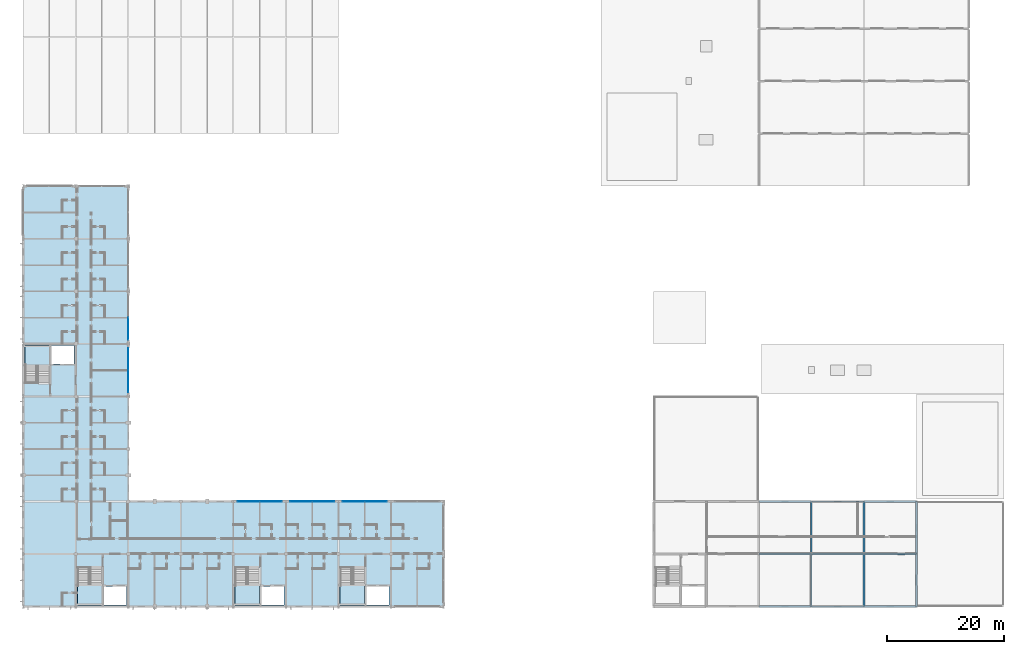
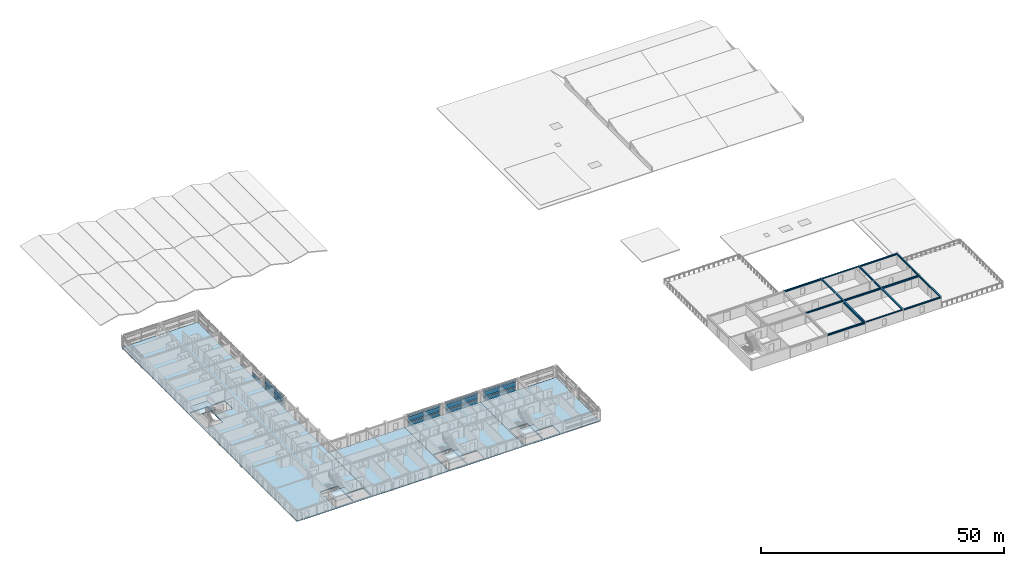
# One storey, part 14 of 37: 34 plates, 15 beams, 8 slabs, 5 elements without a shape of their own.
"""IFC4 building model written with IfcOpenShell, lengths in metres."""

import ifcopenshell
import ifcopenshell.guid

model = None  # the IFC model being written
_history = None  # IfcOwnerHistory: only IFC2X3 demands one
_inside = {}  # id of a spatial element -> (the spatial element, [elements in it])
_under = {}  # id of a project, library or spatial element -> (it, [spatial elements below it])
_declared = {}  # id of a project -> (the project, [libraries it declares])
_typed = {}  # id of a type object -> (the type object, [elements of that type])
_made_of = {}  # id of a material, layer set ... -> (it, [elements and type objects made of it])


def new_model(schema):
    """Start an empty IFC model of exactly this schema.

    Asked for "IFC4X3", IfcOpenShell would pick the latest addendum, in which some entities
    have other attributes; the version numbers below select the first issue.
    IFC2X3 requires an IfcOwnerHistory on every rooted entity: one is made here for all.
    """
    global model, _history
    if schema == "IFC4X3":
        model = ifcopenshell.file(schema_version=(4, 3, 0, 0))
    else:
        model = ifcopenshell.file(schema=schema)
    _inside.clear()
    _under.clear()
    _declared.clear()
    _typed.clear()
    _made_of.clear()
    _history = None
    if model.schema == "IFC2X3":
        org = make("IfcOrganization", Name="unknown")
        user = make(
            "IfcPersonAndOrganization",
            ThePerson=make("IfcPerson", FamilyName="unknown"),
            TheOrganization=org,
        )
        app = make(
            "IfcApplication",
            ApplicationDeveloper=org,
            Version="unknown",
            ApplicationFullName="unknown",
            ApplicationIdentifier="unknown",
        )
        _history = make(
            "IfcOwnerHistory",
            OwningUser=user,
            OwningApplication=app,
            ChangeAction="ADDED",
            CreationDate=0,
        )
    return model


def make(cls, **values):
    """One entity of the class cls with the attributes given. An attribute that is None is left unset."""
    return model.create_entity(
        cls, **{name: value for name, value in values.items() if value is not None}
    )


def rooted(cls, **values):
    """An entity with a GlobalId (a new one), such as an element, a storey or a relation."""
    return make(cls, GlobalId=ifcopenshell.guid.new(), OwnerHistory=_history, **values)


def si_unit(unit_type, name, prefix=None):
    """IfcSIUnit, for example si_unit("LENGTHUNIT", "METRE", prefix="MILLI")."""
    return make("IfcSIUnit", UnitType=unit_type, Prefix=prefix, Name=name)


def assignment(units):
    """IfcUnitAssignment: the units of a project."""
    return None if units is None else make("IfcUnitAssignment", Units=units)


def point(xyz):
    """IfcCartesianPoint."""
    return None if xyz is None else make("IfcCartesianPoint", Coordinates=xyz)


def direction(xyz):
    """IfcDirection."""
    return None if xyz is None else make("IfcDirection", DirectionRatios=xyz)


def frame(location, z_axis=None, x_axis=None):
    """IfcAxis2Placement3D, a coordinate frame: its origin and axes. An axis left out is left unset."""
    return make(
        "IfcAxis2Placement3D",
        Location=point(location),
        Axis=direction(z_axis),
        RefDirection=direction(x_axis),
    )


def frame_2d(location, x_axis=None):
    """IfcAxis2Placement2D, a coordinate frame in the plane: its origin and x axis."""
    return make(
        "IfcAxis2Placement2D", Location=point(location), RefDirection=direction(x_axis)
    )


def origin():
    """The frame at (0, 0, 0) with its axes left unset."""
    return frame((0.0, 0.0, 0.0))


def origin_2d():
    """The frame at (0, 0) in the plane with its x axis left unset."""
    return frame_2d((0.0, 0.0))


def place(relative_to, where):
    """IfcLocalPlacement: puts the frame where relative to a parent placement (None: the world)."""
    return make(
        "IfcLocalPlacement", PlacementRelTo=relative_to, RelativePlacement=where
    )


def context(
    kind, dimensions, precision=None, world=None, true_north=None, identifier=None
):
    """IfcGeometricRepresentationContext, for example the 3D "Model" context."""
    return make(
        "IfcGeometricRepresentationContext",
        ContextIdentifier=identifier,
        ContextType=kind,
        CoordinateSpaceDimension=dimensions,
        Precision=precision,
        WorldCoordinateSystem=world,
        TrueNorth=true_north,
    )


def subcontext(parent, identifier, kind, view, scale=None):
    """IfcGeometricRepresentationSubContext, for example "Body" below "Model"."""
    return make(
        "IfcGeometricRepresentationSubContext",
        ContextIdentifier=identifier,
        ContextType=kind,
        ParentContext=parent,
        TargetScale=scale,
        TargetView=view,
    )


def project(units=None, contexts=None):
    """IfcProject with its units and contexts."""
    return rooted(
        "IfcProject",
        Name="project",
        RepresentationContexts=contexts,
        UnitsInContext=assignment(units),
    )


def spatial(cls, under=None, at=None, **own):
    """A site, building, storey or space (cls), placed at a placement, below another one or the project."""
    s = rooted(cls, ObjectPlacement=at, **own)
    if under is not None:
        _under.setdefault(under.id(), (under, []))[1].append(s)
    return s


def polyline(points):
    """IfcPolyline through the points."""
    return make("IfcPolyline", Points=[point(p) for p in points])


def profile(cls, at=None, kind="AREA", **sizes):
    """A parametric profile (cls). Its sizes go by their IFC names, for example OverallWidth=200.0."""
    return make(cls, ProfileType=kind, Position=at, **sizes)


def rectangle(**sizes):
    """IfcRectangleProfileDef."""
    return profile("IfcRectangleProfileDef", **sizes)


def i_section(**sizes):
    """IfcIShapeProfileDef."""
    return profile("IfcIShapeProfileDef", **sizes)


def outline(outer, holes=None, kind="AREA"):
    """IfcArbitraryClosedProfileDef: a profile drawn as a closed curve; with holes, ...WithVoids."""
    if holes is None:
        return make("IfcArbitraryClosedProfileDef", ProfileType=kind, OuterCurve=outer)
    return make(
        "IfcArbitraryProfileDefWithVoids",
        ProfileType=kind,
        OuterCurve=outer,
        InnerCurves=holes,
    )


def extrude(swept, where, along, depth):
    """IfcExtrudedAreaSolid: the profile swept, set in the frame where, extruded along a direction by depth."""
    return make(
        "IfcExtrudedAreaSolid",
        SweptArea=swept,
        Position=where,
        ExtrudedDirection=direction(along),
        Depth=depth,
    )


def shape(context_of_items, identifier, shape_type, items):
    """IfcShapeRepresentation: the items that make up one representation, for example the "Body"."""
    return make(
        "IfcShapeRepresentation",
        ContextOfItems=context_of_items,
        RepresentationIdentifier=identifier,
        RepresentationType=shape_type,
        Items=items,
    )


def material(Name=None, Category=None):
    """IfcMaterial."""
    return make("IfcMaterial", Name=Name, Category=Category)


def layer(
    of_material, thickness, ventilated=None, Name=None, Category=None, Priority=None
):
    """IfcMaterialLayer: one layer of a wall or slab, of a material (None: an air gap)."""
    return make(
        "IfcMaterialLayer",
        Material=of_material,
        LayerThickness=thickness,
        IsVentilated=ventilated,
        Name=Name,
        Category=Category,
        Priority=Priority,
    )


def layer_set(layers, Name=None):
    """IfcMaterialLayerSet."""
    return make("IfcMaterialLayerSet", MaterialLayers=layers, LayerSetName=Name)


def material_profile(
    of_material, cross_section, Name=None, Category=None, Priority=None
):
    """IfcMaterialProfile: a cross section and its material."""
    return make(
        "IfcMaterialProfile",
        Name=Name,
        Material=of_material,
        Profile=cross_section,
        Priority=Priority,
        Category=Category,
    )


def profile_set(profiles, Name=None, composite=None):
    """IfcMaterialProfileSet."""
    return make(
        "IfcMaterialProfileSet",
        Name=Name,
        MaterialProfiles=profiles,
        CompositeProfile=composite,
    )


def made_of(thing, what):
    """Note that an element or type object is made of a material, layer set ...; save() writes the relation."""
    if what is not None:
        _made_of.setdefault(what.id(), (what, []))[1].append(thing)
    return thing


def type_object(cls, material=None, **own):
    """A type object (cls), such as IfcWallType, which elements share."""
    return made_of(rooted(cls, **own), material)


def element(
    cls,
    number,
    at=None,
    inside=None,
    cuts=None,
    type_object=None,
    material=None,
    context=None,
    identifier="Body",
    shape_type=None,
    held_by="IfcProductDefinitionShape",
    body=None,
    shapes=None,
    **own,
):
    """One element of the class cls, such as IfcWall. Its Tag is "e" and its number.

    at: its placement. inside: the storey or other place that contains it. cuts: it is an
    opening in that element (IfcRelVoidsElement). A single representation is given by context,
    identifier, shape_type and body (its items); several are given by shapes. held_by: the class
    of the entity that holds the representations. save() writes the other relations.
    """
    e = rooted(cls, Tag="e%d" % number, ObjectPlacement=at, **own)
    if body is not None:
        shapes = [shape(context, identifier, shape_type, body)]
    if shapes is not None:
        e.Representation = make(held_by, Representations=shapes)
    if inside is not None:
        _inside.setdefault(inside.id(), (inside, []))[1].append(e)
    if cuts is not None:
        rooted(
            "IfcRelVoidsElement", RelatingBuildingElement=cuts, RelatedOpeningElement=e
        )
    if type_object is not None:
        _typed.setdefault(type_object.id(), (type_object, []))[1].append(e)
    return made_of(e, material)


def aggregate(whole, parts):
    """IfcRelAggregates: a whole, such as a stair, and the parts it consists of."""
    return rooted("IfcRelAggregates", RelatingObject=whole, RelatedObjects=parts)


def save(model, path):
    """Write the relations noted so far, then the file.

    IfcRelAggregates (storeys below a building ...), IfcRelContainedInSpatialStructure (elements
    in a storey), IfcRelDefinesByType, IfcRelAssociatesMaterial and IfcRelDeclares: one each for
    every whole, place, type object, material and project.
    """
    for whole, parts in _under.values():
        aggregate(whole, parts)
    for where, things in _inside.values():
        rooted(
            "IfcRelContainedInSpatialStructure",
            RelatedElements=things,
            RelatingStructure=where,
        )
    for kind, things in _typed.values():
        rooted("IfcRelDefinesByType", RelatedObjects=things, RelatingType=kind)
    for what, things in _made_of.values():
        rooted("IfcRelAssociatesMaterial", RelatedObjects=things, RelatingMaterial=what)
    for by, libraries in _declared.values():
        rooted("IfcRelDeclares", RelatingContext=by, RelatedDefinitions=libraries)
    model.write(path)


model = new_model("IFC4")

# Units and contexts
model_context = context("Model", 3, precision=1e-05, world=origin(), true_north=direction((0.0, 1.0)))
body_context = subcontext(model_context, "Body", "Model", "MODEL_VIEW")
ifc_project = project(units=[si_unit("LENGTHUNIT", "METRE"), si_unit("AREAUNIT", "SQUARE_METRE"), si_unit("VOLUMEUNIT", "CUBIC_METRE"), si_unit("PLANEANGLEUNIT", "RADIAN"), si_unit("MASSUNIT", "GRAM", prefix="KILO")], contexts=[model_context])

# Site, building, storey
site_placement = place(None, origin())
site = spatial("IfcSite", under=ifc_project, at=site_placement, CompositionType="ELEMENT")
building_placement = place(site_placement, origin())
building = spatial("IfcBuilding", under=site, at=building_placement, Name="Palais des Congres Ocreval", CompositionType="ELEMENT")
storey_placement = place(building_placement, frame((0.0, 0.0, 11.52001953125)))
storey = spatial("IfcBuildingStorey", under=building, at=storey_placement, Name="L03", CompositionType="ELEMENT", Elevation=11.52001953125)

# Beams
ifc_material_1 = material(Name="Steel S355", Category="steel")
ifc_material_profile_1 = material_profile(ifc_material_1, i_section(OverallWidth=0.239990234375, OverallDepth=0.22998046875, WebThickness=0.007568359375, FlangeThickness=0.011962890625, at=origin_2d()), Name="HEA 240")
ifc_profile_set_1 = profile_set([ifc_material_profile_1], Name="Steel S355")
beam_type_1 = type_object("IfcBeamType", Name="Perimeter Spandrel HEA 240 Steel S355", PredefinedType="SPANDREL", material=ifc_profile_set_1)
for number, where, z_axis, x_axis, name in (
    (1, (135.02001953125, 0.0, 2.6650390625), (1.0, 0.0, 0.0), (0.0, 1.0, 0.0), "Beam SP01 L03"),
    (2, (135.02001953125, 18.0, 2.6650390625), (1.0, 0.0, 0.0), (0.0, 1.0, 0.0), "Beam SP01 L03"),
):
    element("IfcBeam", number, at=place(storey_placement, frame(where, z_axis=z_axis, x_axis=x_axis)), inside=storey, type_object=beam_type_1, Name=name, PredefinedType="SPANDREL", context=body_context, shape_type="SweptSolid", body=[
        extrude(i_section(OverallWidth=0.239990234375, OverallDepth=0.22998046875, WebThickness=0.007568359375, FlangeThickness=0.011962890625, at=origin_2d()), origin(), (0.0, 0.0, 1.0), 8.9599609375),
    ])
ifc_material_profile_2 = material_profile(ifc_material_1, i_section(OverallWidth=0.300048828125, OverallDepth=0.300048828125, WebThickness=0.010986328125, FlangeThickness=0.01904296875, at=origin_2d()), Name="HEB 300")
ifc_profile_set_2 = profile_set([ifc_material_profile_2], Name="Steel S355")
beam_type_2 = type_object("IfcBeamType", Name="Perimeter Spandrel HEB 300 Steel S355", PredefinedType="SPANDREL", material=ifc_profile_set_2)
for number, where, z_axis, x_axis, name in (
    (3, (144.02001953125, 0.0, 2.6298828125), (1.0, 0.0, 0.0), (0.0, 1.0, 0.0), "Beam SP02 L03"),
    (4, (144.02001953125, 18.0, 2.6298828125), (1.0, 0.0, 0.0), (0.0, 1.0, 0.0), "Beam SP02 L03"),
):
    element("IfcBeam", number, at=place(storey_placement, frame(where, z_axis=z_axis, x_axis=x_axis)), inside=storey, type_object=beam_type_2, Name=name, PredefinedType="SPANDREL", context=body_context, shape_type="SweptSolid", body=[
        extrude(i_section(OverallWidth=0.300048828125, OverallDepth=0.300048828125, WebThickness=0.010986328125, FlangeThickness=0.01904296875, at=origin_2d()), origin(), (0.0, 0.0, 1.0), 8.9599609375),
    ])
ifc_material_profile_3 = material_profile(ifc_material_1, i_section(OverallWidth=0.300048828125, OverallDepth=0.39990234375, WebThickness=0.013427734375, FlangeThickness=0.02392578125, at=origin_2d()), Name="HEB 400")
ifc_profile_set_3 = profile_set([ifc_material_profile_3], Name="Steel S355")
beam_type_3 = type_object("IfcBeamType", Name="Perimeter Spandrel HEB 400 Steel S355", PredefinedType="SPANDREL", material=ifc_profile_set_3)
for number, where, z_axis, x_axis, name in (
    (5, (126.02001953125, 0.0, 2.580078125), (1.0, 0.0, 0.0), (0.0, 1.0, 0.0), "Beam SP04 L03"),
    (6, (126.02001953125, 18.0, 2.580078125), (1.0, 0.0, 0.0), (0.0, 1.0, 0.0), "Beam SP04 L03"),
):
    element("IfcBeam", number, at=place(storey_placement, frame(where, z_axis=z_axis, x_axis=x_axis)), inside=storey, type_object=beam_type_3, Name=name, PredefinedType="SPANDREL", context=body_context, shape_type="SweptSolid", body=[
        extrude(i_section(OverallWidth=0.300048828125, OverallDepth=0.39990234375, WebThickness=0.013427734375, FlangeThickness=0.02392578125, at=origin_2d()), origin(), (0.0, 0.0, 1.0), 8.9599609375),
    ])
ifc_material_profile_4 = material_profile(ifc_material_1, i_section(OverallWidth=0.300048828125, OverallDepth=0.2900390625, WebThickness=0.008544921875, FlangeThickness=0.013916015625, at=origin_2d()), Name="HEA 300")
ifc_profile_set_4 = profile_set([ifc_material_profile_4], Name="Steel S355")
beam_type_4 = type_object("IfcBeamType", Name="Primary Beam HEA 300 Steel S355", PredefinedType="BEAM", material=ifc_profile_set_4)
for number, where, z_axis, x_axis, name in (
    (7, (135.0, 9.02001953125, 2.635009765625), (0.0, 1.0, 0.0), (-1.0, 0.0, 0.0), "Girder B08 L03"),
    (8, (144.0, 0.02001953125, 2.635009765625), (0.0, 1.0, 0.0), (-1.0, 0.0, 0.0), "Girder B08 L03"),
):
    element("IfcBeam", number, at=place(storey_placement, frame(where, z_axis=z_axis, x_axis=x_axis)), inside=storey, type_object=beam_type_4, Name=name, PredefinedType="BEAM", context=body_context, shape_type="SweptSolid", body=[
        extrude(i_section(OverallWidth=0.300048828125, OverallDepth=0.2900390625, WebThickness=0.008544921875, FlangeThickness=0.013916015625, at=origin_2d()), origin(), (0.0, 0.0, 1.0), 8.9599609375),
    ])
ifc_material_profile_5 = material_profile(ifc_material_1, i_section(OverallWidth=0.300048828125, OverallDepth=0.330078125, WebThickness=0.009521484375, FlangeThickness=0.0166015625, at=origin_2d()), Name="HEA 340")
ifc_profile_set_5 = profile_set([ifc_material_profile_5], Name="Steel S355")
beam_type_5 = type_object("IfcBeamType", Name="Primary Beam HEA 340 Steel S355", PredefinedType="BEAM", material=ifc_profile_set_5)
for number, where, z_axis, x_axis, name in (
    (9, (126.02001953125, 9.0, 2.614990234375), (1.0, 0.0, 0.0), (0.0, 1.0, 0.0), "Beam B09 L03"),
    (10, (144.0, 9.02001953125, 2.614990234375), (0.0, 1.0, 0.0), (-1.0, 0.0, 0.0), "Girder B09 L03"),
    (11, (153.0, 0.02001953125, 2.614990234375), (0.0, 1.0, 0.0), (-1.0, 0.0, 0.0), "Girder B09 L03"),
):
    element("IfcBeam", number, at=place(storey_placement, frame(where, z_axis=z_axis, x_axis=x_axis)), inside=storey, type_object=beam_type_5, Name=name, PredefinedType="BEAM", context=body_context, shape_type="SweptSolid", body=[
        extrude(i_section(OverallWidth=0.300048828125, OverallDepth=0.330078125, WebThickness=0.009521484375, FlangeThickness=0.0166015625, at=origin_2d()), origin(), (0.0, 0.0, 1.0), 8.9599609375),
    ])
ifc_material_profile_6 = material_profile(ifc_material_1, i_section(OverallWidth=0.300048828125, OverallDepth=0.389892578125, WebThickness=0.010986328125, FlangeThickness=0.01904296875, at=origin_2d()), Name="HEA 400")
ifc_profile_set_6 = profile_set([ifc_material_profile_6], Name="Steel S355")
beam_type_6 = type_object("IfcBeamType", Name="Primary Beam HEA 400 Steel S355", PredefinedType="BEAM", material=ifc_profile_set_6)
for number, where, z_axis, x_axis, name in (
    (12, (135.02001953125, 9.0, 2.5849609375), (1.0, 0.0, 0.0), (0.0, 1.0, 0.0), "Beam B10 L03"),
    (13, (153.0, 9.02001953125, 2.5849609375), (0.0, 1.0, 0.0), (-1.0, 0.0, 0.0), "Girder B10 L03"),
):
    element("IfcBeam", number, at=place(storey_placement, frame(where, z_axis=z_axis, x_axis=x_axis)), inside=storey, type_object=beam_type_6, Name=name, PredefinedType="BEAM", context=body_context, shape_type="SweptSolid", body=[
        extrude(i_section(OverallWidth=0.300048828125, OverallDepth=0.389892578125, WebThickness=0.010986328125, FlangeThickness=0.01904296875, at=origin_2d()), origin(), (0.0, 0.0, 1.0), 8.9599609375),
    ])
ifc_material_profile_7 = material_profile(ifc_material_1, i_section(OverallWidth=0.300048828125, OverallDepth=0.43994140625, WebThickness=0.011474609375, FlangeThickness=0.02099609375, at=origin_2d()), Name="HEA 450")
ifc_profile_set_7 = profile_set([ifc_material_profile_7], Name="Steel S355")
beam_type_7 = type_object("IfcBeamType", Name="Primary Beam HEA 450 Steel S355", PredefinedType="BEAM", material=ifc_profile_set_7)
beam_1_placement = place(storey_placement, frame((144.02001953125, 9.0, 2.56005859375), z_axis=(1.0, 0.0, 0.0), x_axis=(0.0, 1.0, 0.0)))
element("IfcBeam", 14, at=beam_1_placement, inside=storey, type_object=beam_type_7, Name="Beam B11 L03", PredefinedType="BEAM", context=body_context, shape_type="SweptSolid", body=[
    extrude(i_section(OverallWidth=0.300048828125, OverallDepth=0.43994140625, WebThickness=0.011474609375, FlangeThickness=0.02099609375, at=origin_2d()), origin(), (0.0, 0.0, 1.0), 8.9599609375),
])
ifc_material_profile_8 = material_profile(ifc_material_1, i_section(OverallWidth=0.300048828125, OverallDepth=0.68994140625, WebThickness=0.014404296875, FlangeThickness=0.027099609375, at=origin_2d()), Name="HEA 700")
ifc_profile_set_8 = profile_set([ifc_material_profile_8], Name="Steel S355")
beam_type_8 = type_object("IfcBeamType", Name="Primary Girder HEA 700 Steel S355", PredefinedType="BEAM", material=ifc_profile_set_8)
beam_2_placement = place(storey_placement, frame((135.0, 0.02001953125, 2.43505859375), z_axis=(0.0, 1.0, 0.0), x_axis=(-1.0, 0.0, 0.0)))
element("IfcBeam", 15, at=beam_2_placement, inside=storey, type_object=beam_type_8, Name="Girder B14 L03", PredefinedType="BEAM", context=body_context, shape_type="SweptSolid", body=[
    extrude(i_section(OverallWidth=0.300048828125, OverallDepth=0.68994140625, WebThickness=0.014404296875, FlangeThickness=0.027099609375, at=origin_2d()), origin(), (0.0, 0.0, 1.0), 8.9599609375),
])

# Curtain wall, plates
ifc_material_2 = material(Name="Anodized bronze aluminium and low-E glass", Category="glass")
curtain_wall_type = type_object("IfcCurtainWallType", Name="Unitised Curtain Wall 7900x2820", PredefinedType="USERDEFINED", material=ifc_material_2)
curtain_wall_1_placement = place(storey_placement, origin())
curtain_wall_1 = element("IfcCurtainWall", 16, at=curtain_wall_1_placement, inside=storey, type_object=curtain_wall_type, Name="Unitised Curtain Wall CW04 L03", ObjectType="UNITISED CURTAIN WALL", PredefinedType="USERDEFINED")
ifc_material_3 = material(Name="Acoustic triple glazing", Category="glass")
ifc_layer_1 = layer(ifc_material_3, 0.0439453125)
ifc_layer_set_1 = layer_set([ifc_layer_1], Name="Acoustic Laminated Glazing Panel 44 (Acoustic triple glazing)")
plate_type_1 = type_object("IfcPlateType", Name="Acoustic Laminated Glazing Panel 44", PredefinedType="CURTAIN_PANEL", material=ifc_layer_set_1)
plate_1_placement = place(storey_placement, frame((18.0, 42.407470703125, 0.06005859375), z_axis=(0.0, 0.0, 1.0), x_axis=(0.0, -1.0, 0.0)))
plate_1 = element("IfcPlate", 17, at=plate_1_placement, type_object=plate_type_1, Name="Vision Glazing Panel VP02", PredefinedType="CURTAIN_PANEL", context=body_context, shape_type="SweptSolid", body=[
    extrude(rectangle(XDim=3.7451171875, YDim=0.0439453125, at=origin_2d()), origin(), (0.0, 0.0, 1.0), 0.68994140625),
])
plate_2_placement = place(storey_placement, frame((18.0, 42.407470703125, 0.81005859375), z_axis=(0.0, 0.0, 1.0), x_axis=(0.0, -1.0, 0.0)))
plate_2 = element("IfcPlate", 18, at=plate_2_placement, type_object=plate_type_1, Name="Vision Glazing Panel VP02", PredefinedType="CURTAIN_PANEL", context=body_context, shape_type="SweptSolid", body=[
    extrude(rectangle(XDim=3.7451171875, YDim=0.0439453125, at=origin_2d()), origin(), (0.0, 0.0, 1.0), 0.353515625),
])
plate_3_placement = place(storey_placement, frame((18.0, 42.407470703125, 1.2236328125), z_axis=(0.0, 0.0, 1.0), x_axis=(0.0, -1.0, 0.0)))
plate_3 = element("IfcPlate", 19, at=plate_3_placement, type_object=plate_type_1, Name="Vision Glazing Panel VP02", PredefinedType="CURTAIN_PANEL", context=body_context, shape_type="SweptSolid", body=[
    extrude(rectangle(XDim=3.7451171875, YDim=0.0439453125, at=origin_2d()), origin(), (0.0, 0.0, 1.0), 0.91650390625),
])
plate_4_placement = place(storey_placement, frame((18.0, 38.592529296875, 0.06005859375), z_axis=(0.0, 0.0, 1.0), x_axis=(0.0, -1.0, 0.0)))
plate_4 = element("IfcPlate", 20, at=plate_4_placement, type_object=plate_type_1, Name="Vision Glazing Panel VP02", PredefinedType="CURTAIN_PANEL", context=body_context, shape_type="SweptSolid", body=[
    extrude(rectangle(XDim=3.7451171875, YDim=0.0439453125, at=origin_2d()), origin(), (0.0, 0.0, 1.0), 0.68994140625),
])
plate_5_placement = place(storey_placement, frame((18.0, 38.592529296875, 0.81005859375), z_axis=(0.0, 0.0, 1.0), x_axis=(0.0, -1.0, 0.0)))
plate_5 = element("IfcPlate", 21, at=plate_5_placement, type_object=plate_type_1, Name="Vision Glazing Panel VP02", PredefinedType="CURTAIN_PANEL", context=body_context, shape_type="SweptSolid", body=[
    extrude(rectangle(XDim=3.7451171875, YDim=0.0439453125, at=origin_2d()), origin(), (0.0, 0.0, 1.0), 0.353515625),
])
plate_6_placement = place(storey_placement, frame((18.0, 38.592529296875, 1.2236328125), z_axis=(0.0, 0.0, 1.0), x_axis=(0.0, -1.0, 0.0)))
plate_6 = element("IfcPlate", 22, at=plate_6_placement, type_object=plate_type_1, Name="Vision Glazing Panel VP02", PredefinedType="CURTAIN_PANEL", context=body_context, shape_type="SweptSolid", body=[
    extrude(rectangle(XDim=3.7451171875, YDim=0.0439453125, at=origin_2d()), origin(), (0.0, 0.0, 1.0), 0.91650390625),
])

curtain_wall_2_placement = place(storey_placement, origin())
curtain_wall_2 = element("IfcCurtainWall", 23, at=curtain_wall_2_placement, inside=storey, type_object=curtain_wall_type, Name="Unitised Curtain Wall CW04 L03", ObjectType="UNITISED CURTAIN WALL", PredefinedType="USERDEFINED")
plate_7_placement = place(storey_placement, frame((56.59130859375, 18.0, 0.06005859375), z_axis=(0.0, 0.0, 1.0), x_axis=(1.0, 0.0, 0.0)))
plate_7 = element("IfcPlate", 24, at=plate_7_placement, type_object=plate_type_1, Name="Vision Glazing Panel VP02", PredefinedType="CURTAIN_PANEL", context=body_context, shape_type="SweptSolid", body=[
    extrude(rectangle(XDim=3.75244140625, YDim=0.0439453125, at=origin_2d()), origin(), (0.0, 0.0, 1.0), 0.68994140625),
])
plate_8_placement = place(storey_placement, frame((56.59130859375, 18.0, 0.81005859375), z_axis=(0.0, 0.0, 1.0), x_axis=(1.0, 0.0, 0.0)))
plate_8 = element("IfcPlate", 25, at=plate_8_placement, type_object=plate_type_1, Name="Vision Glazing Panel VP02", PredefinedType="CURTAIN_PANEL", context=body_context, shape_type="SweptSolid", body=[
    extrude(rectangle(XDim=3.75244140625, YDim=0.0439453125, at=origin_2d()), origin(), (0.0, 0.0, 1.0), 0.353515625),
])
plate_9_placement = place(storey_placement, frame((56.59130859375, 18.0, 1.2236328125), z_axis=(0.0, 0.0, 1.0), x_axis=(1.0, 0.0, 0.0)))
plate_9 = element("IfcPlate", 26, at=plate_9_placement, type_object=plate_type_1, Name="Vision Glazing Panel VP02", PredefinedType="CURTAIN_PANEL", context=body_context, shape_type="SweptSolid", body=[
    extrude(rectangle(XDim=3.75244140625, YDim=0.0439453125, at=origin_2d()), origin(), (0.0, 0.0, 1.0), 0.91650390625),
])
plate_10_placement = place(storey_placement, frame((60.40869140625, 18.0, 0.06005859375), z_axis=(0.0, 0.0, 1.0), x_axis=(1.0, 0.0, 0.0)))
plate_10 = element("IfcPlate", 27, at=plate_10_placement, type_object=plate_type_1, Name="Vision Glazing Panel VP02", PredefinedType="CURTAIN_PANEL", context=body_context, shape_type="SweptSolid", body=[
    extrude(rectangle(XDim=3.75244140625, YDim=0.0439453125, at=origin_2d()), origin(), (0.0, 0.0, 1.0), 0.68994140625),
])
plate_11_placement = place(storey_placement, frame((60.40869140625, 18.0, 0.81005859375), z_axis=(0.0, 0.0, 1.0), x_axis=(1.0, 0.0, 0.0)))
plate_11 = element("IfcPlate", 28, at=plate_11_placement, type_object=plate_type_1, Name="Vision Glazing Panel VP02", PredefinedType="CURTAIN_PANEL", context=body_context, shape_type="SweptSolid", body=[
    extrude(rectangle(XDim=3.75244140625, YDim=0.0439453125, at=origin_2d()), origin(), (0.0, 0.0, 1.0), 0.353515625),
])
plate_12_placement = place(storey_placement, frame((60.40869140625, 18.0, 1.2236328125), z_axis=(0.0, 0.0, 1.0), x_axis=(1.0, 0.0, 0.0)))
plate_12 = element("IfcPlate", 29, at=plate_12_placement, type_object=plate_type_1, Name="Vision Glazing Panel VP02", PredefinedType="CURTAIN_PANEL", context=body_context, shape_type="SweptSolid", body=[
    extrude(rectangle(XDim=3.75244140625, YDim=0.0439453125, at=origin_2d()), origin(), (0.0, 0.0, 1.0), 0.91650390625),
])

# Plate
ifc_material_4 = material(Name="Anodized bronze aluminium", Category="aluminium")
ifc_layer_2 = layer(ifc_material_4, 0.06005859375)
ifc_layer_set_2 = layer_set([ifc_layer_2], Name="Anodized Bronze Spandrel Cassette 60 (Anodized bronze aluminium)")
plate_type_2 = type_object("IfcPlateType", Name="Anodized Bronze Spandrel Cassette 60", PredefinedType="SHEET", material=ifc_layer_set_2)
plate_13_placement = place(storey_placement, frame((18.0, 42.407470703125, 2.199951171875), z_axis=(0.0, 0.0, 1.0), x_axis=(0.0, -1.0, 0.0)))
plate_13 = element("IfcPlate", 30, at=plate_13_placement, type_object=plate_type_2, Name="Spandrel Sheet SPN1", PredefinedType="SHEET", context=body_context, shape_type="SweptSolid", body=[
    extrude(rectangle(XDim=3.7451171875, YDim=0.06005859375, at=origin_2d()), origin(), (0.0, 0.0, 1.0), 0.56005859375),
])

plate_14_placement = place(storey_placement, frame((18.0, 38.592529296875, 2.199951171875), z_axis=(0.0, 0.0, 1.0), x_axis=(0.0, -1.0, 0.0)))
plate_14 = element("IfcPlate", 31, at=plate_14_placement, type_object=plate_type_2, Name="Spandrel Sheet SPN1", PredefinedType="SHEET", context=body_context, shape_type="SweptSolid", body=[
    extrude(rectangle(XDim=3.7451171875, YDim=0.06005859375, at=origin_2d()), origin(), (0.0, 0.0, 1.0), 0.56005859375),
])

aggregate(curtain_wall_1, [plate_1, plate_2, plate_3, plate_13, plate_4, plate_5, plate_6, plate_14])

# Curtain wall, plates
curtain_wall_3_placement = place(storey_placement, origin())
curtain_wall_3 = element("IfcCurtainWall", 32, at=curtain_wall_3_placement, inside=storey, type_object=curtain_wall_type, Name="Unitised Curtain Wall CW04 L03", ObjectType="UNITISED CURTAIN WALL", PredefinedType="USERDEFINED")
plate_15_placement = place(storey_placement, frame((47.592529296875, 18.0, 2.199951171875), z_axis=(0.0, 0.0, 1.0), x_axis=(1.0, 0.0, 0.0)))
plate_15 = element("IfcPlate", 33, at=plate_15_placement, type_object=plate_type_2, Name="Spandrel Sheet SPN1", PredefinedType="SHEET", context=body_context, shape_type="SweptSolid", body=[
    extrude(rectangle(XDim=3.7451171875, YDim=0.06005859375, at=origin_2d()), origin(), (0.0, 0.0, 1.0), 0.56005859375),
])
plate_16_placement = place(storey_placement, frame((51.407470703125, 18.0, 2.199951171875), z_axis=(0.0, 0.0, 1.0), x_axis=(1.0, 0.0, 0.0)))
plate_16 = element("IfcPlate", 34, at=plate_16_placement, type_object=plate_type_2, Name="Spandrel Sheet SPN1", PredefinedType="SHEET", context=body_context, shape_type="SweptSolid", body=[
    extrude(rectangle(XDim=3.7451171875, YDim=0.06005859375, at=origin_2d()), origin(), (0.0, 0.0, 1.0), 0.56005859375),
])

curtain_wall_4_placement = place(storey_placement, origin())
curtain_wall_4 = element("IfcCurtainWall", 35, at=curtain_wall_4_placement, inside=storey, type_object=curtain_wall_type, Name="Unitised Curtain Wall CW04 L03", ObjectType="UNITISED CURTAIN WALL", PredefinedType="USERDEFINED")
ifc_material_5 = material(Name="Low-E solar-control double glazing", Category="glass")
ifc_layer_3 = layer(ifc_material_5, 0.031982421875)
ifc_layer_set_3 = layer_set([ifc_layer_3], Name="Galleria Clear Vision Panel 32 (Low-E solar-control double glazing)")
plate_type_3 = type_object("IfcPlateType", Name="Galleria Clear Vision Panel 32", PredefinedType="CURTAIN_PANEL", material=ifc_layer_set_3)
plate_17_placement = place(storey_placement, frame((38.59130859375, 18.0, 0.06005859375), z_axis=(0.0, 0.0, 1.0), x_axis=(1.0, 0.0, 0.0)))
plate_17 = element("IfcPlate", 36, at=plate_17_placement, type_object=plate_type_3, Name="Vision Glazing Panel VP03", PredefinedType="CURTAIN_PANEL", context=body_context, shape_type="SweptSolid", body=[
    extrude(rectangle(XDim=3.75244140625, YDim=0.031982421875, at=origin_2d()), origin(), (0.0, 0.0, 1.0), 0.68994140625),
])
plate_18_placement = place(storey_placement, frame((38.59130859375, 18.0, 0.81005859375), z_axis=(0.0, 0.0, 1.0), x_axis=(1.0, 0.0, 0.0)))
plate_18 = element("IfcPlate", 37, at=plate_18_placement, type_object=plate_type_3, Name="Vision Glazing Panel VP03", PredefinedType="CURTAIN_PANEL", context=body_context, shape_type="SweptSolid", body=[
    extrude(rectangle(XDim=3.75244140625, YDim=0.031982421875, at=origin_2d()), origin(), (0.0, 0.0, 1.0), 0.353515625),
])
plate_19_placement = place(storey_placement, frame((38.59130859375, 18.0, 1.2236328125), z_axis=(0.0, 0.0, 1.0), x_axis=(1.0, 0.0, 0.0)))
plate_19 = element("IfcPlate", 38, at=plate_19_placement, type_object=plate_type_3, Name="Vision Glazing Panel VP03", PredefinedType="CURTAIN_PANEL", context=body_context, shape_type="SweptSolid", body=[
    extrude(rectangle(XDim=3.75244140625, YDim=0.031982421875, at=origin_2d()), origin(), (0.0, 0.0, 1.0), 0.91650390625),
])
plate_20_placement = place(storey_placement, frame((42.40869140625, 18.0, 0.06005859375), z_axis=(0.0, 0.0, 1.0), x_axis=(1.0, 0.0, 0.0)))
plate_20 = element("IfcPlate", 39, at=plate_20_placement, type_object=plate_type_3, Name="Vision Glazing Panel VP03", PredefinedType="CURTAIN_PANEL", context=body_context, shape_type="SweptSolid", body=[
    extrude(rectangle(XDim=3.75244140625, YDim=0.031982421875, at=origin_2d()), origin(), (0.0, 0.0, 1.0), 0.68994140625),
])
plate_21_placement = place(storey_placement, frame((42.40869140625, 18.0, 0.81005859375), z_axis=(0.0, 0.0, 1.0), x_axis=(1.0, 0.0, 0.0)))
plate_21 = element("IfcPlate", 40, at=plate_21_placement, type_object=plate_type_3, Name="Vision Glazing Panel VP03", PredefinedType="CURTAIN_PANEL", context=body_context, shape_type="SweptSolid", body=[
    extrude(rectangle(XDim=3.75244140625, YDim=0.031982421875, at=origin_2d()), origin(), (0.0, 0.0, 1.0), 0.353515625),
])
plate_22_placement = place(storey_placement, frame((42.40869140625, 18.0, 1.2236328125), z_axis=(0.0, 0.0, 1.0), x_axis=(1.0, 0.0, 0.0)))
plate_22 = element("IfcPlate", 41, at=plate_22_placement, type_object=plate_type_3, Name="Vision Glazing Panel VP03", PredefinedType="CURTAIN_PANEL", context=body_context, shape_type="SweptSolid", body=[
    extrude(rectangle(XDim=3.75244140625, YDim=0.031982421875, at=origin_2d()), origin(), (0.0, 0.0, 1.0), 0.91650390625),
])

curtain_wall_5_placement = place(storey_placement, origin())
curtain_wall_5 = element("IfcCurtainWall", 42, at=curtain_wall_5_placement, inside=storey, type_object=curtain_wall_type, Name="Unitised Curtain Wall CW04 L03", ObjectType="UNITISED CURTAIN WALL", PredefinedType="USERDEFINED")
ifc_layer_4 = layer(ifc_material_5, 0.035888671875)
ifc_layer_set_4 = layer_set([ifc_layer_4], Name="Low-E Vision Glazing Panel 36 (Low-E solar-control double glazing)")
plate_type_4 = type_object("IfcPlateType", Name="Low-E Vision Glazing Panel 36", PredefinedType="CURTAIN_PANEL", material=ifc_layer_set_4)
plate_23_placement = place(storey_placement, frame((18.0, 47.59130859375, 0.06005859375), z_axis=(0.0, 0.0, 1.0), x_axis=(0.0, -1.0, 0.0)))
plate_23 = element("IfcPlate", 43, at=plate_23_placement, type_object=plate_type_4, Name="Vision Glazing Panel VP01", PredefinedType="CURTAIN_PANEL", context=body_context, shape_type="SweptSolid", body=[
    extrude(rectangle(XDim=3.75244140625, YDim=0.035888671875, at=origin_2d()), origin(), (0.0, 0.0, 1.0), 0.68994140625),
])
plate_24_placement = place(storey_placement, frame((18.0, 47.59130859375, 0.81005859375), z_axis=(0.0, 0.0, 1.0), x_axis=(0.0, -1.0, 0.0)))
plate_24 = element("IfcPlate", 44, at=plate_24_placement, type_object=plate_type_4, Name="Vision Glazing Panel VP01", PredefinedType="CURTAIN_PANEL", context=body_context, shape_type="SweptSolid", body=[
    extrude(rectangle(XDim=3.75244140625, YDim=0.035888671875, at=origin_2d()), origin(), (0.0, 0.0, 1.0), 0.353515625),
])
aggregate(curtain_wall_5, [plate_23, plate_24])

# Plate
plate_25_placement = place(storey_placement, frame((47.592529296875, 18.0, 0.06005859375), z_axis=(0.0, 0.0, 1.0), x_axis=(1.0, 0.0, 0.0)))
plate_25 = element("IfcPlate", 45, at=plate_25_placement, type_object=plate_type_4, Name="Vision Glazing Panel VP01", PredefinedType="CURTAIN_PANEL", context=body_context, shape_type="SweptSolid", body=[
    extrude(rectangle(XDim=3.7451171875, YDim=0.035888671875, at=origin_2d()), origin(), (0.0, 0.0, 1.0), 0.68994140625),
])

plate_26_placement = place(storey_placement, frame((47.592529296875, 18.0, 0.81005859375), z_axis=(0.0, 0.0, 1.0), x_axis=(1.0, 0.0, 0.0)))
plate_26 = element("IfcPlate", 46, at=plate_26_placement, type_object=plate_type_4, Name="Vision Glazing Panel VP01", PredefinedType="CURTAIN_PANEL", context=body_context, shape_type="SweptSolid", body=[
    extrude(rectangle(XDim=3.7451171875, YDim=0.035888671875, at=origin_2d()), origin(), (0.0, 0.0, 1.0), 0.353515625),
])

plate_27_placement = place(storey_placement, frame((47.592529296875, 18.0, 1.2236328125), z_axis=(0.0, 0.0, 1.0), x_axis=(1.0, 0.0, 0.0)))
plate_27 = element("IfcPlate", 47, at=plate_27_placement, type_object=plate_type_4, Name="Vision Glazing Panel VP01", PredefinedType="CURTAIN_PANEL", context=body_context, shape_type="SweptSolid", body=[
    extrude(rectangle(XDim=3.7451171875, YDim=0.035888671875, at=origin_2d()), origin(), (0.0, 0.0, 1.0), 0.91650390625),
])

plate_28_placement = place(storey_placement, frame((51.407470703125, 18.0, 0.06005859375), z_axis=(0.0, 0.0, 1.0), x_axis=(1.0, 0.0, 0.0)))
plate_28 = element("IfcPlate", 48, at=plate_28_placement, type_object=plate_type_4, Name="Vision Glazing Panel VP01", PredefinedType="CURTAIN_PANEL", context=body_context, shape_type="SweptSolid", body=[
    extrude(rectangle(XDim=3.7451171875, YDim=0.035888671875, at=origin_2d()), origin(), (0.0, 0.0, 1.0), 0.68994140625),
])

plate_29_placement = place(storey_placement, frame((51.407470703125, 18.0, 0.81005859375), z_axis=(0.0, 0.0, 1.0), x_axis=(1.0, 0.0, 0.0)))
plate_29 = element("IfcPlate", 49, at=plate_29_placement, type_object=plate_type_4, Name="Vision Glazing Panel VP01", PredefinedType="CURTAIN_PANEL", context=body_context, shape_type="SweptSolid", body=[
    extrude(rectangle(XDim=3.7451171875, YDim=0.035888671875, at=origin_2d()), origin(), (0.0, 0.0, 1.0), 0.353515625),
])

plate_30_placement = place(storey_placement, frame((51.407470703125, 18.0, 1.2236328125), z_axis=(0.0, 0.0, 1.0), x_axis=(1.0, 0.0, 0.0)))
plate_30 = element("IfcPlate", 50, at=plate_30_placement, type_object=plate_type_4, Name="Vision Glazing Panel VP01", PredefinedType="CURTAIN_PANEL", context=body_context, shape_type="SweptSolid", body=[
    extrude(rectangle(XDim=3.7451171875, YDim=0.035888671875, at=origin_2d()), origin(), (0.0, 0.0, 1.0), 0.91650390625),
])

aggregate(curtain_wall_3, [plate_25, plate_26, plate_27, plate_15, plate_28, plate_29, plate_30, plate_16])

# Slabs
ifc_material_6 = material(Name="Concrete C40/50", Category="concrete")
ifc_layer_5 = layer(ifc_material_6, 0.219970703125)
ifc_layer_set_5 = layer_set([ifc_layer_5], Name="Post-Tensioned Hotel Slab 220 Concrete C40/50")
slab_type_1 = type_object("IfcSlabType", Name="Post-Tensioned Hotel Slab 220 Concrete C40/50", PredefinedType="FLOOR", material=ifc_layer_set_5)
slab_1_placement = place(storey_placement, frame((0.0, 0.0, -0.219970703125)))
element("IfcSlab", 51, at=slab_1_placement, inside=storey, type_object=slab_type_1, Name="Floor Slab SL11 L03 V4-1", PredefinedType="FLOOR", context=body_context, shape_type="SweptSolid", body=[
    extrude(outline(polyline([(0.0, 0.0), (0.0, 18.0), (0.0, 72.0), (18.0, 72.0), (18.0, 18.0), (18.0, 0.0), (0.0, 0.0)]), holes=[polyline([(13.800048828125, 0.300048828125), (17.699951171875, 0.300048828125), (17.699951171875, 3.449951171875), (13.800048828125, 3.449951171875), (13.800048828125, 0.300048828125)]), polyline([(9.300048828125, 6.64990234375), (9.300048828125, 0.300048828125), (13.5, 0.300048828125), (13.5, 6.64990234375), (9.300048828125, 6.64990234375)]), polyline([(0.300048828125, 44.699951171875), (0.300048828125, 38.35009765625), (4.5, 38.35009765625), (4.5, 44.699951171875), (0.300048828125, 44.699951171875)]), polyline([(4.800048828125, 44.699951171875), (4.800048828125, 41.550048828125), (8.699951171875, 41.550048828125), (8.699951171875, 44.699951171875), (4.800048828125, 44.699951171875)])]), origin(), (0.0, 0.0, 1.0), 0.219970703125),
])
slab_2_placement = place(storey_placement, frame((0.0, 0.0, -0.219970703125)))
element("IfcSlab", 52, at=slab_2_placement, inside=storey, type_object=slab_type_1, Name="Floor Slab SL11 L03 V4-2", PredefinedType="FLOOR", context=body_context, shape_type="SweptSolid", body=[
    extrude(outline(polyline([(18.0, 0.0), (18.0, 18.0), (36.0, 18.0), (36.0, 0.0), (18.0, 0.0)])), origin(), (0.0, 0.0, 1.0), 0.219970703125),
])
slab_3_placement = place(storey_placement, frame((0.0, 0.0, -0.219970703125)))
element("IfcSlab", 53, at=slab_3_placement, inside=storey, type_object=slab_type_1, Name="Floor Slab SL11 L03 V4-3", PredefinedType="FLOOR", context=body_context, shape_type="SweptSolid", body=[
    extrude(outline(polyline([(36.0, 0.0), (36.0, 18.0), (54.0, 18.0), (54.0, 0.0), (36.0, 0.0)]), holes=[polyline([(40.800048828125, 0.300048828125), (44.699951171875, 0.300048828125), (44.699951171875, 3.449951171875), (40.800048828125, 3.449951171875), (40.800048828125, 0.300048828125)]), polyline([(36.300048828125, 0.300048828125), (40.5, 0.300048828125), (40.5, 6.64990234375), (36.300048828125, 6.64990234375), (36.300048828125, 0.300048828125)])]), origin(), (0.0, 0.0, 1.0), 0.219970703125),
])
slab_4_placement = place(storey_placement, frame((0.0, 0.0, -0.219970703125)))
element("IfcSlab", 54, at=slab_4_placement, inside=storey, type_object=slab_type_1, Name="Floor Slab SL11 L03 V4-4", PredefinedType="FLOOR", context=body_context, shape_type="SweptSolid", body=[
    extrude(outline(polyline([(54.0, 0.0), (54.0, 18.0), (72.0, 18.0), (72.0, 0.0), (54.0, 0.0)]), holes=[polyline([(58.800048828125, 0.300048828125), (62.699951171875, 0.300048828125), (62.699951171875, 3.449951171875), (58.800048828125, 3.449951171875), (58.800048828125, 0.300048828125)]), polyline([(54.300048828125, 0.300048828125), (58.5, 0.300048828125), (58.5, 6.64990234375), (54.300048828125, 6.64990234375), (54.300048828125, 0.300048828125)])]), origin(), (0.0, 0.0, 1.0), 0.219970703125),
])
ifc_layer_6 = layer(ifc_material_6, 0.199951171875)
ifc_layer_set_6 = layer_set([ifc_layer_6], Name="Stair and Ramp Landing Slab 200 Concrete C40/50")
slab_type_2 = type_object("IfcSlabType", Name="Stair and Ramp Landing Slab 200 Concrete C40/50", PredefinedType="LANDING", material=ifc_layer_set_6)
slab_5_placement = place(storey_placement, frame((0.0, 0.0, 1.320068359375)))
element("IfcSlab", 55, at=slab_5_placement, inside=storey, type_object=slab_type_2, Name="Stair Half-Landing ST01 L03", PredefinedType="LANDING", context=body_context, shape_type="SweptSolid", body=[
    extrude(outline(polyline([(9.300048828125, 0.300048828125), (13.5, 0.300048828125), (13.5, 3.81494140625), (9.300048828125, 3.81494140625), (9.300048828125, 0.300048828125)])), origin(), (0.0, 0.0, 1.0), 0.199951171875),
])
slab_6_placement = place(storey_placement, frame((0.0, 0.0, 1.320068359375)))
element("IfcSlab", 56, at=slab_6_placement, inside=storey, type_object=slab_type_2, Name="Stair Half-Landing ST02 L03", PredefinedType="LANDING", context=body_context, shape_type="SweptSolid", body=[
    extrude(outline(polyline([(36.300048828125, 0.300048828125), (40.5, 0.300048828125), (40.5, 3.81494140625), (36.300048828125, 3.81494140625), (36.300048828125, 0.300048828125)])), origin(), (0.0, 0.0, 1.0), 0.199951171875),
])
slab_7_placement = place(storey_placement, frame((0.0, 0.0, 1.320068359375)))
element("IfcSlab", 57, at=slab_7_placement, inside=storey, type_object=slab_type_2, Name="Stair Half-Landing ST03 L03", PredefinedType="LANDING", context=body_context, shape_type="SweptSolid", body=[
    extrude(outline(polyline([(0.300048828125, 41.18505859375), (4.5, 41.18505859375), (4.5, 44.699951171875), (0.300048828125, 44.699951171875), (0.300048828125, 41.18505859375)])), origin(), (0.0, 0.0, 1.0), 0.199951171875),
])
slab_8_placement = place(storey_placement, frame((0.0, 0.0, 1.320068359375)))
element("IfcSlab", 58, at=slab_8_placement, inside=storey, type_object=slab_type_2, Name="Stair Half-Landing ST04 L03", PredefinedType="LANDING", context=body_context, shape_type="SweptSolid", body=[
    extrude(outline(polyline([(54.300048828125, 0.300048828125), (58.5, 0.300048828125), (58.5, 3.81494140625), (54.300048828125, 3.81494140625), (54.300048828125, 0.300048828125)])), origin(), (0.0, 0.0, 1.0), 0.199951171875),
])

# Plate
ifc_material_7 = material(Name="Terracotta ceramic spandrel", Category="masonry")
ifc_layer_7 = layer(ifc_material_7, 0.080078125)
ifc_layer_set_7 = layer_set([ifc_layer_7], Name="Terracotta Insulated Spandrel Sheet 80 (Terracotta ceramic spandrel)")
plate_type_5 = type_object("IfcPlateType", Name="Terracotta Insulated Spandrel Sheet 80", PredefinedType="SHEET", material=ifc_layer_set_7)
plate_31_placement = place(storey_placement, frame((38.59130859375, 18.0, 2.199951171875), z_axis=(0.0, 0.0, 1.0), x_axis=(1.0, 0.0, 0.0)))
plate_31 = element("IfcPlate", 59, at=plate_31_placement, type_object=plate_type_5, Name="Spandrel Sheet SPN2", PredefinedType="SHEET", context=body_context, shape_type="SweptSolid", body=[
    extrude(rectangle(XDim=3.75244140625, YDim=0.080078125, at=origin_2d()), origin(), (0.0, 0.0, 1.0), 0.56005859375),
])

plate_32_placement = place(storey_placement, frame((42.40869140625, 18.0, 2.199951171875), z_axis=(0.0, 0.0, 1.0), x_axis=(1.0, 0.0, 0.0)))
plate_32 = element("IfcPlate", 60, at=plate_32_placement, type_object=plate_type_5, Name="Spandrel Sheet SPN2", PredefinedType="SHEET", context=body_context, shape_type="SweptSolid", body=[
    extrude(rectangle(XDim=3.75244140625, YDim=0.080078125, at=origin_2d()), origin(), (0.0, 0.0, 1.0), 0.56005859375),
])

aggregate(curtain_wall_4, [plate_17, plate_18, plate_19, plate_31, plate_20, plate_21, plate_22, plate_32])

plate_33_placement = place(storey_placement, frame((56.59130859375, 18.0, 2.199951171875), z_axis=(0.0, 0.0, 1.0), x_axis=(1.0, 0.0, 0.0)))
plate_33 = element("IfcPlate", 61, at=plate_33_placement, type_object=plate_type_5, Name="Spandrel Sheet SPN2", PredefinedType="SHEET", context=body_context, shape_type="SweptSolid", body=[
    extrude(rectangle(XDim=3.75244140625, YDim=0.080078125, at=origin_2d()), origin(), (0.0, 0.0, 1.0), 0.56005859375),
])

plate_34_placement = place(storey_placement, frame((60.40869140625, 18.0, 2.199951171875), z_axis=(0.0, 0.0, 1.0), x_axis=(1.0, 0.0, 0.0)))
plate_34 = element("IfcPlate", 62, at=plate_34_placement, type_object=plate_type_5, Name="Spandrel Sheet SPN2", PredefinedType="SHEET", context=body_context, shape_type="SweptSolid", body=[
    extrude(rectangle(XDim=3.75244140625, YDim=0.080078125, at=origin_2d()), origin(), (0.0, 0.0, 1.0), 0.56005859375),
])

aggregate(curtain_wall_2, [plate_7, plate_8, plate_9, plate_33, plate_10, plate_11, plate_12, plate_34])

save(model, "model.ifc")
